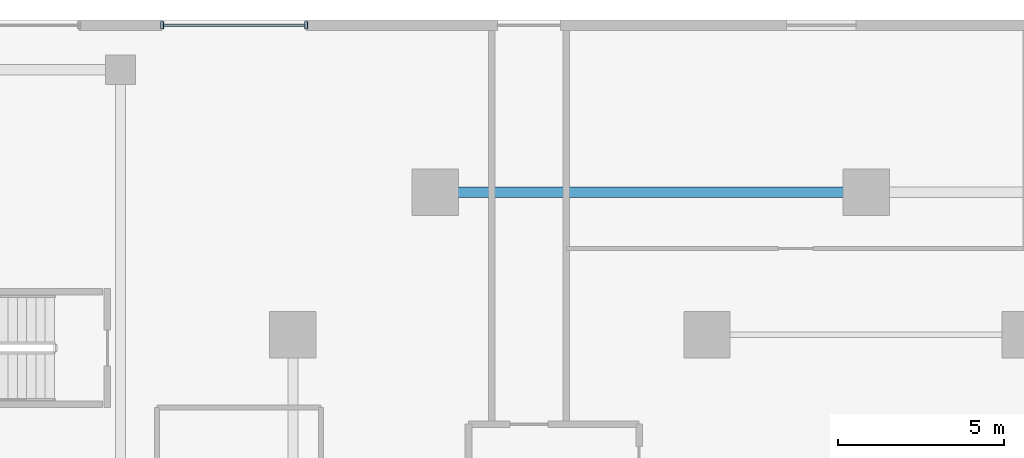
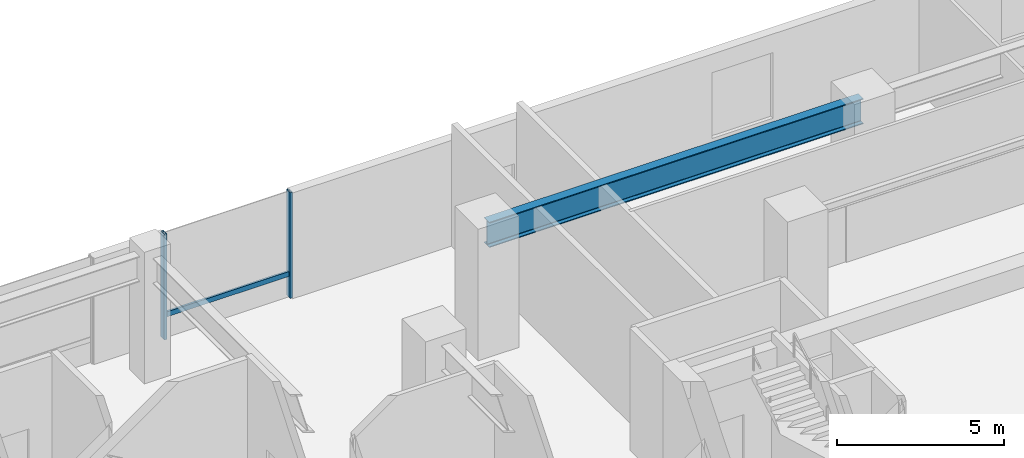
# One storey, part 10 of 24: 3 members, 1 beam, 1 element without a shape of its own.
"""IFC4 building model written with IfcOpenShell, lengths in metres."""

from ifc_helpers import new_model, si_unit, direction, frame, origin, origin_2d, place, context, subcontext, project, spatial, hollow_rectangle, i_section, extrude, material, material_profile, profile_set, type_object, element, aggregate, save


model = new_model("IFC4")

# Units and contexts
model_context = context("Model", 3, precision=1e-05, world=origin(), true_north=direction((0.0, 1.0)))
body_context = subcontext(model_context, "Body", "Model", "MODEL_VIEW")
ifc_project = project(units=[si_unit("LENGTHUNIT", "METRE"), si_unit("AREAUNIT", "SQUARE_METRE"), si_unit("VOLUMEUNIT", "CUBIC_METRE"), si_unit("PLANEANGLEUNIT", "RADIAN"), si_unit("MASSUNIT", "GRAM", prefix="KILO")], contexts=[model_context])

# Site, building, storey
site_placement = place(None, origin())
site = spatial("IfcSite", under=ifc_project, at=site_placement, CompositionType="ELEMENT")
building_placement = place(site_placement, origin())
building = spatial("IfcBuilding", under=site, at=building_placement, Name="Thornwick Lancets Civic Towers", CompositionType="ELEMENT")
storey_placement = place(building_placement, origin())
storey = spatial("IfcBuildingStorey", under=building, at=storey_placement, Name="L00", CompositionType="ELEMENT", Elevation=0.0)

# Beam
ifc_material_1 = material(Name="Steel S355JR", Category="steel")
ifc_material_profile_1 = material_profile(ifc_material_1, i_section(OverallWidth=0.3076171875, OverallDepth=0.926513671875, WebThickness=0.01953125, FlangeThickness=0.031982421875, FilletRadius=0.01904296875, at=origin_2d()), Name="UKB 914x305x289")
ifc_profile_set_1 = profile_set([ifc_material_profile_1], Name="Steel S355JR")
beam_type = type_object("IfcBeamType", Name="BM_POD_914_289", PredefinedType="BEAM", material=ifc_profile_set_1)
beam_placement = place(storey_placement, frame((88.419921875, 44.300048828125, 4.0166015625), z_axis=(-1.0, 0.0, 0.0), x_axis=(0.0, -1.0, 0.0)))
element("IfcBeam", 1, at=beam_placement, inside=storey, type_object=beam_type, Name="BM-SPINE-L00-B-4-5", PredefinedType="BEAM", context=body_context, shape_type="SweptSolid", body=[
    extrude(i_section(OverallWidth=0.3076171875, OverallDepth=0.926513671875, WebThickness=0.01953125, FlangeThickness=0.031982421875, FilletRadius=0.01904296875, at=origin_2d()), origin(), (0.0, 0.0, 1.0), 12.919921875),
])

# Curtain wall, members
ifc_material_2 = material(Name="Bronze aluminium Gothic lancet podium curtain wall", Category="aluminium")
curtain_wall_type = type_object("IfcCurtainWallType", Name="CW_SYS_01", PredefinedType="NOTDEFINED", material=ifc_material_2)
curtain_wall_placement = place(storey_placement, origin())
curtain_wall = element("IfcCurtainWall", 2, at=curtain_wall_placement, inside=storey, type_object=curtain_wall_type, Name="L00 Curtain Wall CW-L00-POD-NC-S1", PredefinedType="NOTDEFINED")
ifc_material_3 = material(Name="Thermally broken bronze aluminium S355", Category="steel")
ifc_material_profile_2 = material_profile(ifc_material_3, hollow_rectangle(XDim=0.090087890625, YDim=0.219970703125, WallThickness=0.00634765625, at=origin_2d()), Name="RHS 220x90x6.3")
ifc_profile_set_2 = profile_set([ifc_material_profile_2], Name="Thermally broken bronze aluminium S355")
member_type_1 = type_object("IfcMemberType", Name="CW_MUL_220", PredefinedType="MULLION", material=ifc_profile_set_2)
member_1_placement = place(storey_placement, frame((71.60009765625, 49.340087890625, 0.0), z_axis=(0.0, 0.0, 1.0), x_axis=(1.0, 0.0, 0.0)))
member_1 = element("IfcMember", 3, at=member_1_placement, type_object=member_type_1, Name="CW-L00-POD-NC-S1 Mullion 0", PredefinedType="MULLION", context=body_context, shape_type="SweptSolid", body=[
    extrude(hollow_rectangle(XDim=0.090087890625, YDim=0.219970703125, WallThickness=0.00634765625, at=origin_2d()), origin(), (0.0, 0.0, 1.0), 3.860107421875),
])
member_2_placement = place(storey_placement, frame((67.25, 49.340087890625, 0.0), z_axis=(0.0, 0.0, 1.0), x_axis=(1.0, 0.0, 0.0)))
member_2 = element("IfcMember", 4, at=member_2_placement, type_object=member_type_1, Name="CW-L00-POD-NC-S1 Mullion 1", PredefinedType="MULLION", context=body_context, shape_type="SweptSolid", body=[
    extrude(hollow_rectangle(XDim=0.090087890625, YDim=0.219970703125, WallThickness=0.00634765625, at=origin_2d()), origin(), (0.0, 0.0, 1.0), 3.860107421875),
])
ifc_material_profile_3 = material_profile(ifc_material_3, hollow_rectangle(XDim=0.074951171875, YDim=0.179931640625, WallThickness=0.006103515625, at=origin_2d()), Name="RHS 180x75x6")
ifc_profile_set_3 = profile_set([ifc_material_profile_3], Name="Thermally broken bronze aluminium S355")
member_type_2 = type_object("IfcMemberType", Name="CW_TRN_180", PredefinedType="USERDEFINED", material=ifc_profile_set_3)
member_3_placement = place(storey_placement, frame((71.580078125, 49.340087890625, 0.85009765625), z_axis=(-1.0, 0.0, 0.0), x_axis=(0.0, -1.0, 0.0)))
member_3 = element("IfcMember", 5, at=member_3_placement, type_object=member_type_2, Name="CW-L00-POD-NC-S1 Transom 0", ObjectType="TRANSOM", PredefinedType="USERDEFINED", context=body_context, shape_type="SweptSolid", body=[
    extrude(hollow_rectangle(XDim=0.074951171875, YDim=0.179931640625, WallThickness=0.006103515625, at=origin_2d()), origin(), (0.0, 0.0, 1.0), 4.31005859375),
])
aggregate(curtain_wall, [member_1, member_2, member_3])

save(model, "model.ifc")
